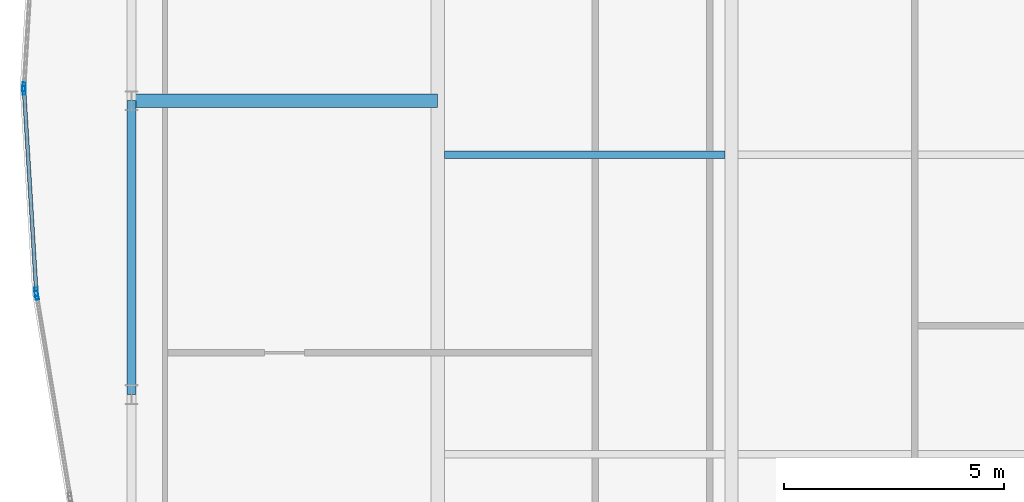
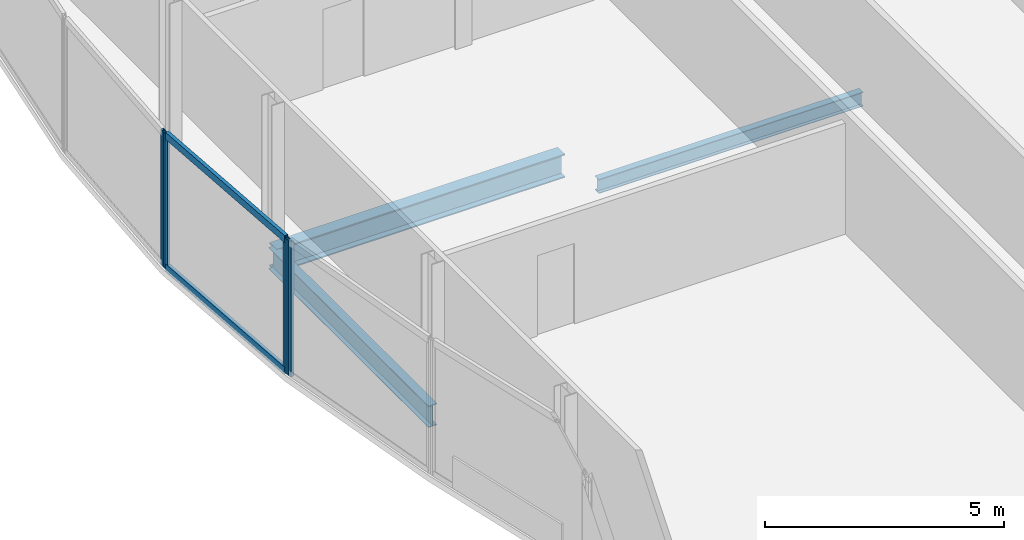
# One storey, part 11 of 29: 6 members, 3 beams, 3 elements without a shape of their own.
"""IFC4 building model written with IfcOpenShell, lengths in metres."""

from ifc_helpers import new_model, si_unit, direction, frame, origin, origin_2d, place, context, subcontext, project, spatial, hollow_rectangle, i_section, extrude, material, material_profile, profile_set, type_object, element, aggregate, save


model = new_model("IFC4")

# Units and contexts
model_context = context("Model", 3, precision=1e-05, world=origin(), true_north=direction((0.0, 1.0)))
body_context = subcontext(model_context, "Body", "Model", "MODEL_VIEW")
ifc_project = project(units=[si_unit("LENGTHUNIT", "METRE"), si_unit("AREAUNIT", "SQUARE_METRE"), si_unit("VOLUMEUNIT", "CUBIC_METRE"), si_unit("PLANEANGLEUNIT", "RADIAN"), si_unit("MASSUNIT", "GRAM", prefix="KILO")], contexts=[model_context])

# Site, building, storey
site_placement = place(None, origin())
site = spatial("IfcSite", under=ifc_project, at=site_placement, CompositionType="ELEMENT")
building_placement = place(site_placement, origin())
building = spatial("IfcBuilding", under=site, at=building_placement, Name="Khoronbel Lancet Exchange", CompositionType="ELEMENT")
storey_placement = place(building_placement, frame((0.0, 0.0, 318.199951171875)))
storey = spatial("IfcBuildingStorey", under=building, at=storey_placement, Name="L82", CompositionType="ELEMENT", Elevation=318.199951171875)

# Beams
ifc_material_1 = material(Name="Steel S355", Category="steel")
ifc_material_profile_1 = material_profile(ifc_material_1, i_section(OverallWidth=0.300048828125, OverallDepth=0.60009765625, WebThickness=0.015380859375, FlangeThickness=0.030029296875, at=origin_2d()), Name="HEB 600")
ifc_profile_set_1 = profile_set([ifc_material_profile_1], Name="Steel S355")
beam_type_1 = type_object("IfcBeamType", Name="BM-BG5", PredefinedType="BEAM", material=ifc_profile_set_1)
beam_1_placement = place(storey_placement, frame((11.27001953125, 31.425048828125, -0.4599609375), z_axis=(1.0, 0.0, 0.0), x_axis=(0.0, 1.0, 0.0)))
element("IfcBeam", 1, at=beam_1_placement, inside=storey, type_object=beam_type_1, Name="Level L82 west lens tie girder LG2W", PredefinedType="BEAM", context=body_context, shape_type="SweptSolid", body=[
    extrude(i_section(OverallWidth=0.300048828125, OverallDepth=0.60009765625, WebThickness=0.015380859375, FlangeThickness=0.030029296875, at=origin_2d()), origin(), (0.0, 0.0, 1.0), 6.955078125),
])
ifc_material_profile_2 = material_profile(ifc_material_1, i_section(OverallWidth=0.169921875, OverallDepth=0.360107421875, WebThickness=0.008056640625, FlangeThickness=0.0126953125, at=origin_2d()), Name="IPE 360")
ifc_profile_set_2 = profile_set([ifc_material_profile_2], Name="Steel S355")
beam_type_2 = type_object("IfcBeamType", Name="BM-BJ6", PredefinedType="JOIST", material=ifc_profile_set_2)
beam_2_placement = place(storey_placement, frame((18.375, 30.199951171875, -0.33984375), z_axis=(1.0, 0.0, 0.0), x_axis=(0.0, 1.0, 0.0)))
element("IfcBeam", 2, at=beam_2_placement, inside=storey, type_object=beam_type_2, Name="Level L82 secondary composite joist J07", PredefinedType="JOIST", context=body_context, shape_type="SweptSolid", body=[
    extrude(i_section(OverallWidth=0.169921875, OverallDepth=0.360107421875, WebThickness=0.008056640625, FlangeThickness=0.0126953125, at=origin_2d()), origin(), (0.0, 0.0, 1.0), 6.375),
])
ifc_material_profile_3 = material_profile(ifc_material_1, i_section(OverallWidth=0.2099609375, OverallDepth=0.550048828125, WebThickness=0.010986328125, FlangeThickness=0.01708984375, at=origin_2d()), Name="IPE 550")
ifc_profile_set_3 = profile_set([ifc_material_profile_3], Name="Steel S355")
beam_type_3 = type_object("IfcBeamType", Name="BM-BSP3", PredefinedType="SPANDREL", material=ifc_profile_set_3)
beam_3_placement = place(storey_placement, frame((11.27001953125, 31.425048828125, -0.43505859375), z_axis=(0.0, -1.0, 0.0), x_axis=(1.0, 0.0, 0.0)))
element("IfcBeam", 3, at=beam_3_placement, inside=storey, type_object=beam_type_3, Name="Level L82 perimeter spandrel beam SP17", PredefinedType="SPANDREL", context=body_context, shape_type="SweptSolid", body=[
    extrude(i_section(OverallWidth=0.2099609375, OverallDepth=0.550048828125, WebThickness=0.010986328125, FlangeThickness=0.01708984375, at=origin_2d()), origin(), (0.0, 0.0, 1.0), 6.675048828125),
])

# Curtain wall, member
ifc_material_2 = material(Name="Low-E Solar Control Insulating Glass", Category="glass")
curtain_wall_type = type_object("IfcCurtainWallType", Name="CW-4", PredefinedType="NOTDEFINED", material=ifc_material_2)
curtain_wall_1_placement = place(storey_placement, origin())
curtain_wall_1 = element("IfcCurtainWall", 4, at=curtain_wall_1_placement, inside=storey, type_object=curtain_wall_type, Name="Unitised curtain wall CW-L82-E05", PredefinedType="NOTDEFINED")
ifc_material_3 = material(Name="Bronze-Anodised Aluminium 6063-T6", Category="aluminium")
ifc_material_profile_4 = material_profile(ifc_material_3, hollow_rectangle(XDim=0.074951171875, YDim=0.199951171875, WallThickness=0.0048828125, at=origin_2d()), Name="ALU MULLION 75x200")
ifc_profile_set_4 = profile_set([ifc_material_profile_4], Name="Bronze-Anodised Aluminium 6063-T6")
member_type_1 = type_object("IfcMemberType", Name="MEM-CWM2", PredefinedType="MULLION", material=ifc_profile_set_4)
member_1_placement = place(storey_placement, frame((9.1162109375, 27.00634765625, 0.0), z_axis=(0.0, 0.0, 1.0), x_axis=(-0.986546857696, -0.163478737362, 0.0)))
member_1 = element("IfcMember", 5, at=member_1_placement, type_object=member_type_1, Name="CW4 mullion 2", PredefinedType="MULLION", context=body_context, shape_type="SweptSolid", body=[
    extrude(hollow_rectangle(XDim=0.074951171875, YDim=0.199951171875, WallThickness=0.0048828125, at=origin_2d()), origin(), (0.0, 0.0, 1.0), 3.43994140625),
])
aggregate(curtain_wall_1, [member_1])

# Curtain wall, members
curtain_wall_2_placement = place(storey_placement, origin())
curtain_wall_2 = element("IfcCurtainWall", 6, at=curtain_wall_2_placement, inside=storey, type_object=curtain_wall_type, Name="Unitised curtain wall CW-L82-E06", PredefinedType="NOTDEFINED")
member_2_placement = place(storey_placement, frame((9.10791015625, 27.080810546875, 0.0), z_axis=(0.0, 0.0, 1.0), x_axis=(-0.998166142481, -0.06053389138, 0.0)))
member_2 = element("IfcMember", 7, at=member_2_placement, type_object=member_type_1, Name="CW4 mullion 1", PredefinedType="MULLION", context=body_context, shape_type="SweptSolid", body=[
    extrude(hollow_rectangle(XDim=0.074951171875, YDim=0.199951171875, WallThickness=0.0048828125, at=origin_2d()), origin(), (0.0, 0.0, 1.0), 3.43994140625),
])
member_3_placement = place(storey_placement, frame((8.830078125, 31.66259765625, 0.0), z_axis=(0.0, 0.0, 1.0), x_axis=(-0.998166142481, -0.06053389138, 0.0)))
member_3 = element("IfcMember", 8, at=member_3_placement, type_object=member_type_1, Name="CW4 mullion 2", PredefinedType="MULLION", context=body_context, shape_type="SweptSolid", body=[
    extrude(hollow_rectangle(XDim=0.074951171875, YDim=0.199951171875, WallThickness=0.0048828125, at=origin_2d()), origin(), (0.0, 0.0, 1.0), 3.43994140625),
])

# Curtain wall, member
curtain_wall_3_placement = place(storey_placement, origin())
curtain_wall_3 = element("IfcCurtainWall", 9, at=curtain_wall_3_placement, inside=storey, type_object=curtain_wall_type, Name="Unitised curtain wall CW-L82-E07", PredefinedType="NOTDEFINED")
member_4_placement = place(storey_placement, frame((8.830078125, 31.737548828125, 0.0), z_axis=(0.0, 0.0, 1.0), x_axis=(-0.998166142481, 0.06053389138, 0.0)))
member_4 = element("IfcMember", 10, at=member_4_placement, type_object=member_type_1, Name="CW4 mullion 1", PredefinedType="MULLION", context=body_context, shape_type="SweptSolid", body=[
    extrude(hollow_rectangle(XDim=0.074951171875, YDim=0.199951171875, WallThickness=0.0048828125, at=origin_2d()), origin(), (0.0, 0.0, 1.0), 3.43994140625),
])
aggregate(curtain_wall_3, [member_4])

# Member
ifc_material_profile_5 = material_profile(ifc_material_3, hollow_rectangle(XDim=0.0849609375, YDim=0.179931640625, WallThickness=0.0048828125, at=origin_2d()), Name="ALU TRANSOM 85x180")
ifc_profile_set_5 = profile_set([ifc_material_profile_5], Name="Bronze-Anodised Aluminium 6063-T6")
member_type_2 = type_object("IfcMemberType", Name="MEM-CWT1", PredefinedType="USERDEFINED", material=ifc_profile_set_5)
member_5_placement = place(storey_placement, frame((9.10546875, 27.1181640625, 0.04248046875), z_axis=(-0.060503222693, 0.998168001913, 0.0), x_axis=(-0.998168001913, -0.060503222693, 0.0)))
member_5 = element("IfcMember", 11, at=member_5_placement, type_object=member_type_2, Name="CW4 transom 1.1", ObjectType="TRANSOM", PredefinedType="USERDEFINED", context=body_context, shape_type="SweptSolid", body=[
    extrude(hollow_rectangle(XDim=0.0849609375, YDim=0.179931640625, WallThickness=0.0048828125, at=origin_2d()), origin(), (0.0, 0.0, 1.0), 4.515380859375),
])

member_6_placement = place(storey_placement, frame((9.10546875, 27.1181640625, 3.3974609375), z_axis=(-0.060503222693, 0.998168001913, 0.0), x_axis=(-0.998168001913, -0.060503222693, 0.0)))
member_6 = element("IfcMember", 12, at=member_6_placement, type_object=member_type_2, Name="CW4 transom 1.2", ObjectType="TRANSOM", PredefinedType="USERDEFINED", context=body_context, shape_type="SweptSolid", body=[
    extrude(hollow_rectangle(XDim=0.0849609375, YDim=0.179931640625, WallThickness=0.0048828125, at=origin_2d()), origin(), (0.0, 0.0, 1.0), 4.515380859375),
])

aggregate(curtain_wall_2, [member_2, member_3, member_5, member_6])

save(model, "model.ifc")
